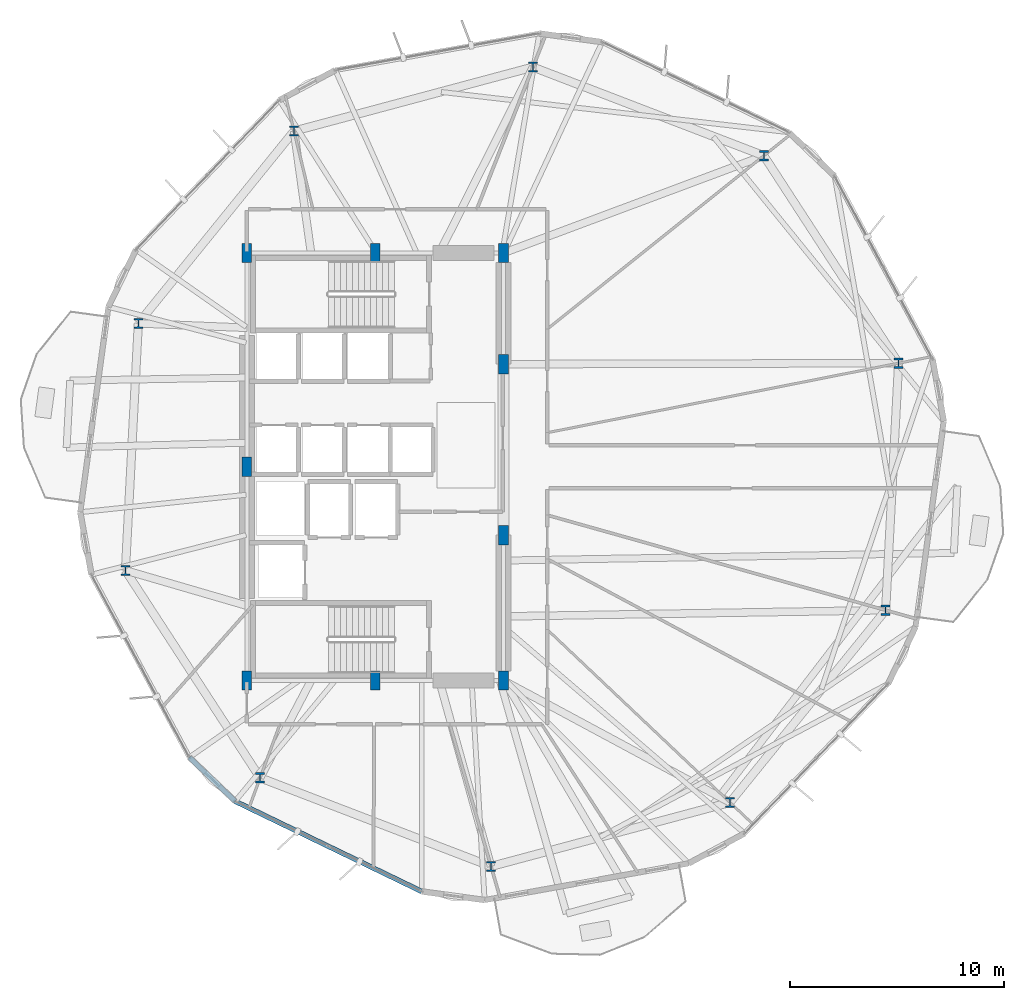
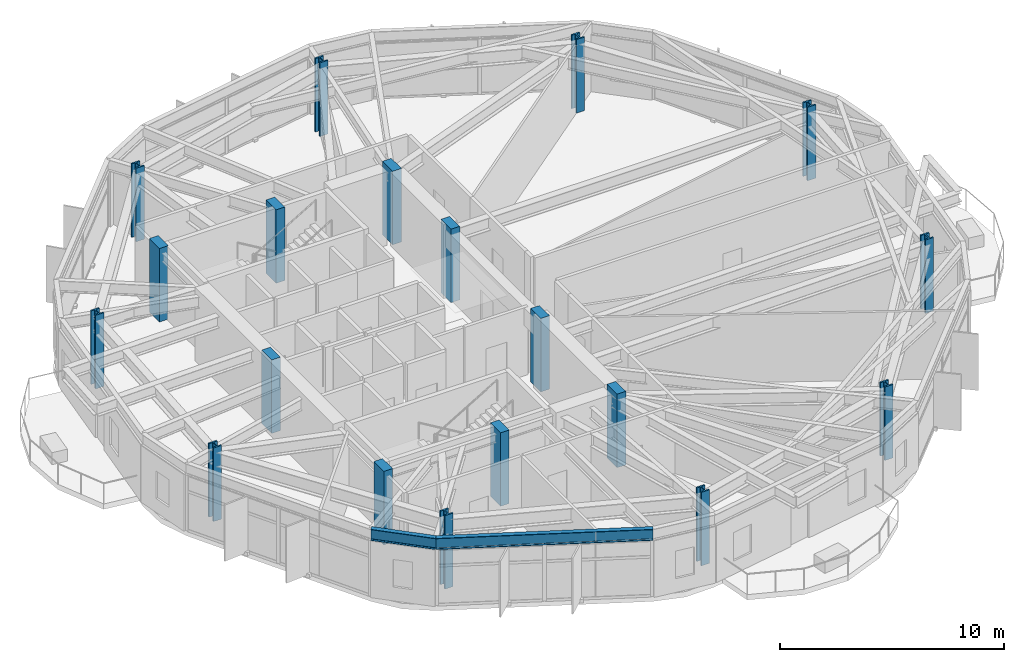
# One storey, part 1 of 22: 19 columns, 2 beams.
"""IFC4 building model written with IfcOpenShell, lengths in metres."""

from ifc_helpers import new_model, si_unit, direction, frame, origin, origin_2d, place, context, subcontext, project, spatial, rectangle, i_section, extrude, material, material_profile, profile_set, type_object, element, save


model = new_model("IFC4")

# Units and contexts
model_context = context("Model", 3, precision=1e-05, world=origin(), true_north=direction((0.0, 1.0)))
body_context = subcontext(model_context, "Body", "Model", "MODEL_VIEW")
ifc_project = project(units=[si_unit("LENGTHUNIT", "METRE"), si_unit("AREAUNIT", "SQUARE_METRE"), si_unit("VOLUMEUNIT", "CUBIC_METRE"), si_unit("PLANEANGLEUNIT", "RADIAN"), si_unit("MASSUNIT", "GRAM", prefix="KILO")], contexts=[model_context])

# Site, building, storey
site_placement = place(None, origin())
site = spatial("IfcSite", under=ifc_project, at=site_placement, CompositionType="ELEMENT")
building_placement = place(site_placement, origin())
building = spatial("IfcBuilding", under=site, at=building_placement, Name="Soratama Intermodal Tower", CompositionType="ELEMENT")
storey_placement = place(building_placement, frame((0.0, 0.0, 66.60009765625)))
storey = spatial("IfcBuildingStorey", under=building, at=storey_placement, Name="L15", CompositionType="ELEMENT", Elevation=66.60009765625)

# Columns
ifc_material_1 = material(Name="Structural steel ASTM A992 Grade 50", Category="steel")
ifc_material_profile_1 = material_profile(ifc_material_1, i_section(OverallWidth=0.424072265625, OverallDepth=0.47412109375, WebThickness=0.047607421875, FlangeThickness=0.0771484375, FilletRadius=0.0380859375, at=origin_2d()), Name="W14X426")
ifc_profile_set_1 = profile_set([ifc_material_profile_1], Name="Structural steel ASTM A992 Grade 50")
column_type_1 = type_object("IfcColumnType", Name="COL-ZA-W14X426", PredefinedType="COLUMN", material=ifc_profile_set_1)
for number, where, z_axis, x_axis, name in (
    (1, (63.08203125, 29.84521484375, 0.0), (0.0, 0.0, 1.0), (1.0, 0.0, 0.0), "L15 Tower Ring Column R01"),
    (2, (56.781005859375, 39.548095703125, 0.0), (0.0, 0.0, 1.0), (1.0, 0.0, 0.0), "L15 Tower Ring Column R02"),
    (3, (45.979736328125, 43.6943359375, 0.0), (0.0, 0.0, 1.0), (1.0, 0.0, 0.0), "L15 Tower Ring Column R03"),
    (4, (34.804443359375, 40.699951171875, 0.0), (0.0, 0.0, 1.0), (1.0, 0.0, 0.0), "L15 Tower Ring Column R04"),
    (5, (27.5234375, 31.70849609375, 0.0), (0.0, 0.0, 1.0), (1.0, 0.0, 0.0), "L15 Tower Ring Column R05"),
    (6, (26.91796875, 20.15478515625, 0.0), (0.0, 0.0, 1.0), (1.0, 0.0, 0.0), "L15 Tower Ring Column R06"),
    (7, (33.218994140625, 10.451904296875, 0.0), (0.0, 0.0, 1.0), (1.0, 0.0, 0.0), "L15 Tower Ring Column R07"),
    (8, (44.020263671875, 6.3056640625, 0.0), (0.0, 0.0, 1.0), (1.0, 0.0, 0.0), "L15 Tower Ring Column R08"),
    (9, (55.195556640625, 9.300048828125, 0.0), (0.0, 0.0, 1.0), (1.0, 0.0, 0.0), "L15 Tower Ring Column R09"),
    (10, (62.4765625, 18.29150390625, 0.0), (0.0, 0.0, 1.0), (1.0, 0.0, 0.0), "L15 Tower Ring Column R10"),
):
    element("IfcColumn", number, at=place(storey_placement, frame(where, z_axis=z_axis, x_axis=x_axis)), inside=storey, type_object=column_type_1, Name=name, PredefinedType="COLUMN", context=body_context, shape_type="SweptSolid", body=[
        extrude(i_section(OverallWidth=0.424072265625, OverallDepth=0.47412109375, WebThickness=0.047607421875, FlangeThickness=0.0771484375, FilletRadius=0.0380859375, at=origin_2d()), origin(), (0.0, 0.0, 1.0), 4.0),
    ])
ifc_material_2 = material(Name="Concrete f'c 56 MPa", Category="concrete")
ifc_material_profile_2 = material_profile(ifc_material_2, rectangle(XDim=0.449951171875, YDim=0.89990234375, at=origin_2d()), Name="RC450X900")
ifc_profile_set_2 = profile_set([ifc_material_profile_2], Name="Concrete f'c 56 MPa")
column_type_2 = type_object("IfcColumnType", Name="PIL-CORE-450X900", PredefinedType="PILASTER", material=ifc_profile_set_2)
for number, where, z_axis, x_axis, name in (
    (11, (32.60009765625, 15.0, 0.0), (0.0, 0.0, 1.0), (1.0, 0.0, 0.0), "L15 Core Pilaster 1"),
    (12, (32.60009765625, 25.0, 0.0), (0.0, 0.0, 1.0), (1.0, 0.0, 0.0), "L15 Core Pilaster 2"),
    (13, (32.60009765625, 35.0, 0.0), (0.0, 0.0, 1.0), (1.0, 0.0, 0.0), "L15 Core Pilaster 3"),
    (14, (38.60009765625, 15.0, 0.0), (0.0, 0.0, 1.0), (1.0, 0.0, 0.0), "L15 Core Pilaster 4"),
    (15, (38.60009765625, 35.0, 0.0), (0.0, 0.0, 1.0), (1.0, 0.0, 0.0), "L15 Core Pilaster 5"),
    (16, (44.60009765625, 15.0, 0.0), (0.0, 0.0, 1.0), (1.0, 0.0, 0.0), "L15 Core Pilaster 6"),
    (17, (44.60009765625, 21.800048828125, 0.0), (0.0, 0.0, 1.0), (1.0, 0.0, 0.0), "L15 Core Pilaster 7"),
    (18, (44.60009765625, 29.800048828125, 0.0), (0.0, 0.0, 1.0), (1.0, 0.0, 0.0), "L15 Core Pilaster 8"),
    (19, (44.60009765625, 35.0, 0.0), (0.0, 0.0, 1.0), (1.0, 0.0, 0.0), "L15 Core Pilaster 9"),
):
    element("IfcColumn", number, at=place(storey_placement, frame(where, z_axis=z_axis, x_axis=x_axis)), inside=storey, type_object=column_type_2, Name=name, PredefinedType="PILASTER", context=body_context, shape_type="SweptSolid", body=[
        extrude(rectangle(XDim=0.449951171875, YDim=0.89990234375, at=origin_2d()), origin(), (0.0, 0.0, 1.0), 4.0),
    ])

# Beams
ifc_material_3 = material(Name="Structural steel ASTM A992 Grade 50", Category="steel")
ifc_material_profile_3 = material_profile(ifc_material_3, i_section(OverallWidth=0.22900390625, OverallDepth=0.612060546875, WebThickness=0.011962890625, FlangeThickness=0.01953125, FilletRadius=0.012939453125, at=origin_2d()), Name="W24X84")
ifc_profile_set_3 = profile_set([ifc_material_profile_3], Name="Structural steel ASTM A992 Grade 50")
beam_type = type_object("IfcBeamType", Name="BM-SPN-W24X84", PredefinedType="SPANDREL", material=ifc_profile_set_3)
beam_1_placement = place(storey_placement, frame((29.908935546875, 11.406005859375, 3.393798828125), z_axis=(0.721806589939, -0.692094824948, 0.0), x_axis=(0.692094824948, 0.721806589939, 0.0)))
element("IfcBeam", 20, at=beam_1_placement, inside=storey, type_object=beam_type, Name="BS-L15-CRN06", PredefinedType="SPANDREL", context=body_context, shape_type="SweptSolid", body=[
    extrude(i_section(OverallWidth=0.22900390625, OverallDepth=0.612060546875, WebThickness=0.011962890625, FlangeThickness=0.01953125, FilletRadius=0.012939453125, at=origin_2d()), origin(), (0.0, 0.0, 1.0), 2.96630859375),
])
beam_2_placement = place(storey_placement, frame((32.050048828125, 9.35302734375, 3.393798828125), z_axis=(0.900309165628, -0.435250969312, 0.0), x_axis=(0.435250969312, 0.900309165628, 0.0)))
element("IfcBeam", 21, at=beam_2_placement, inside=storey, type_object=beam_type, Name="BS-L15-F07", PredefinedType="SPANDREL", context=body_context, shape_type="SweptSolid", body=[
    extrude(i_section(OverallWidth=0.22900390625, OverallDepth=0.612060546875, WebThickness=0.011962890625, FlangeThickness=0.01953125, FilletRadius=0.012939453125, at=origin_2d()), origin(), (0.0, 0.0, 1.0), 9.69775390625),
])

save(model, "model.ifc")
